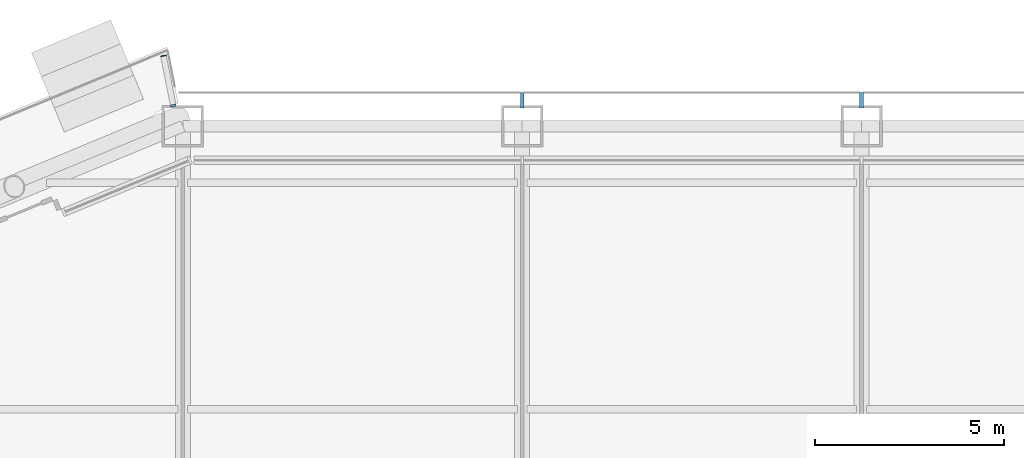
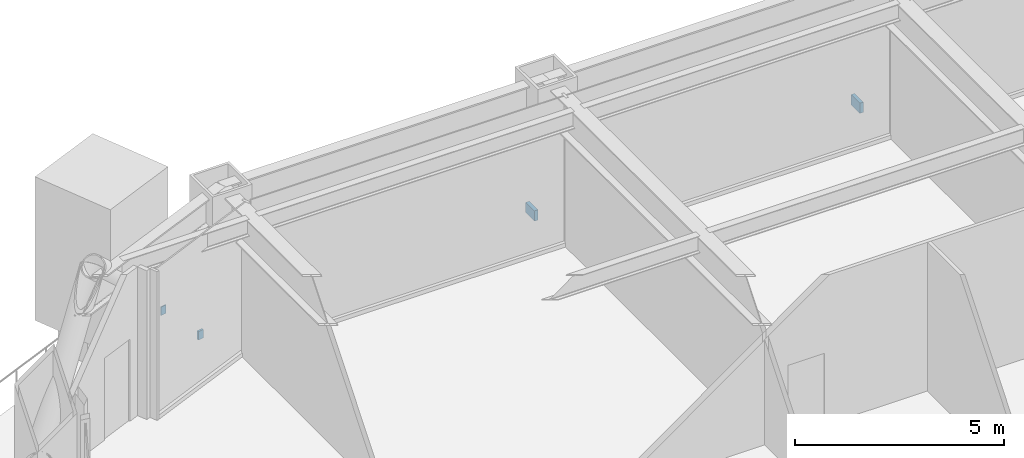
# One storey, part 22 of 29: 4 discrete accessories.
"""IFC4 building model written with IfcOpenShell, lengths in metres."""

from ifc_helpers import new_model, si_unit, direction, frame, origin, origin_2d, place, context, subcontext, project, spatial, rectangle, extrude, material, layer, layer_set, type_object, element, save


model = new_model("IFC4")

# Units and contexts
model_context = context("Model", 3, precision=1e-05, world=origin(), true_north=direction((0.0, 1.0)))
body_context = subcontext(model_context, "Body", "Model", "MODEL_VIEW")
ifc_project = project(units=[si_unit("LENGTHUNIT", "METRE"), si_unit("AREAUNIT", "SQUARE_METRE"), si_unit("VOLUMEUNIT", "CUBIC_METRE"), si_unit("PLANEANGLEUNIT", "RADIAN"), si_unit("MASSUNIT", "GRAM", prefix="KILO")], contexts=[model_context])

# Site, building, storey
site_placement = place(None, origin())
site = spatial("IfcSite", under=ifc_project, at=site_placement, CompositionType="ELEMENT")
building_placement = place(site_placement, origin())
building = spatial("IfcBuilding", under=site, at=building_placement, Name="Siwar Civic Tower", CompositionType="ELEMENT")
storey_placement = place(building_placement, frame((0.0, 0.0, 49.199951171875)))
storey = spatial("IfcBuildingStorey", under=building, at=storey_placement, Name="L10", CompositionType="ELEMENT", Elevation=49.199951171875)

# Discrete accessories
ifc_material_1 = material(Name="Stainless steel 316", Category="steel")
discrete_accessory_type_1 = type_object("IfcDiscreteAccessoryType", Name="ENV-BRACKET", PredefinedType="BRACKET", material=ifc_material_1)
for number, where, z_axis, x_axis, name in (
    (1, (-4.5, 32.18994140625, -0.14990234375), (0.0, 0.0, 1.0), (0.0, 1.0, 0.0), "Bracket outer skin joint N-03"),
    (2, (-13.5, 32.18994140625, -0.14990234375), (0.0, 0.0, 1.0), (0.0, 1.0, 0.0), "Bracket outer skin joint N-04"),
):
    element("IfcDiscreteAccessory", number, at=place(storey_placement, frame(where, z_axis=z_axis, x_axis=x_axis)), inside=storey, type_object=discrete_accessory_type_1, Name=name, PredefinedType="BRACKET", context=body_context, shape_type="SweptSolid", body=[
        extrude(rectangle(XDim=0.419921875, YDim=0.10009765625, at=origin_2d()), origin(), (0.0, 0.0, 1.0), 0.300048828125),
    ])
discrete_accessory_1_placement = place(storey_placement, frame((-22.752197265625, 32.050048828125, -0.39990234375), z_axis=(0.0, 0.0, 1.0), x_axis=(-0.195090322016, 0.980785280403, 0.0)))
element("IfcDiscreteAccessory", 3, at=discrete_accessory_1_placement, inside=storey, type_object=discrete_accessory_type_1, Name="Bracket balcony cantilever beam NW 1", PredefinedType="BRACKET", context=body_context, shape_type="SweptSolid", body=[
    extrude(rectangle(XDim=0.06005859375, YDim=0.14990234375, at=origin_2d()), origin(), (0.0, 0.0, 1.0), 0.25),
])
ifc_material_2 = material(Name="Steel S355", Category="steel")
ifc_layer = layer(ifc_material_2, 0.02001953125)
ifc_layer_set = layer_set([ifc_layer], Name="Steel S355")
discrete_accessory_type_2 = type_object("IfcDiscreteAccessoryType", Name="STR-END-CAP", PredefinedType="USERDEFINED", material=ifc_layer_set)
discrete_accessory_2_placement = place(storey_placement, frame((-23.014404296875, 33.36865234375, -0.39990234375), z_axis=(0.0, 0.0, 1.0), x_axis=(-0.195090322649, 0.980785280277, 0.0)))
element("IfcDiscreteAccessory", 4, at=discrete_accessory_2_placement, inside=storey, type_object=discrete_accessory_type_2, Name="End cap plate Balcony cantilever beam NW 1", ObjectType="END CAP PLATE", PredefinedType="USERDEFINED", context=body_context, shape_type="SweptSolid", body=[
    extrude(rectangle(XDim=0.02001953125, YDim=0.14990234375, at=origin_2d()), origin(), (0.0, 0.0, 1.0), 0.25),
])

save(model, "model.ifc")
